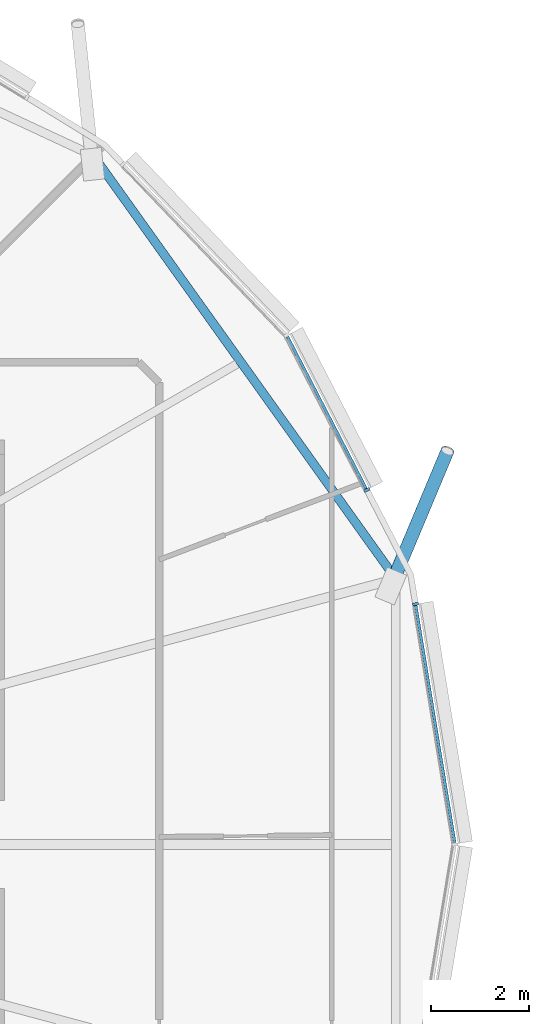
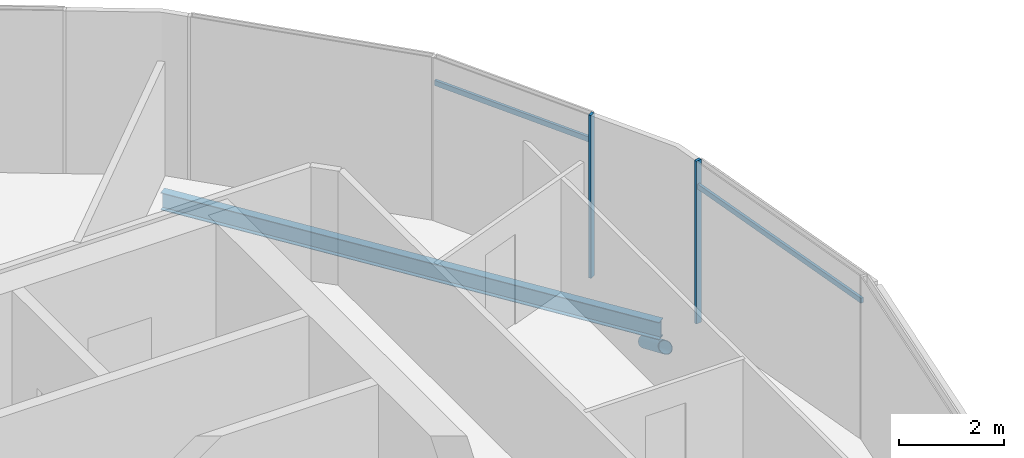
# One storey, part 7 of 36: 5 members, 1 beam, 1 element without a shape of its own.
"""IFC4 building model written with IfcOpenShell, lengths in metres."""

import ifcopenshell
import ifcopenshell.guid

model = None  # the IFC model being written
_history = None  # IfcOwnerHistory: only IFC2X3 demands one
_inside = {}  # id of a spatial element -> (the spatial element, [elements in it])
_under = {}  # id of a project, library or spatial element -> (it, [spatial elements below it])
_declared = {}  # id of a project -> (the project, [libraries it declares])
_typed = {}  # id of a type object -> (the type object, [elements of that type])
_made_of = {}  # id of a material, layer set ... -> (it, [elements and type objects made of it])


def new_model(schema):
    """Start an empty IFC model of exactly this schema.

    Asked for "IFC4X3", IfcOpenShell would pick the latest addendum, in which some entities
    have other attributes; the version numbers below select the first issue.
    IFC2X3 requires an IfcOwnerHistory on every rooted entity: one is made here for all.
    """
    global model, _history
    if schema == "IFC4X3":
        model = ifcopenshell.file(schema_version=(4, 3, 0, 0))
    else:
        model = ifcopenshell.file(schema=schema)
    _inside.clear()
    _under.clear()
    _declared.clear()
    _typed.clear()
    _made_of.clear()
    _history = None
    if model.schema == "IFC2X3":
        org = make("IfcOrganization", Name="unknown")
        user = make(
            "IfcPersonAndOrganization",
            ThePerson=make("IfcPerson", FamilyName="unknown"),
            TheOrganization=org,
        )
        app = make(
            "IfcApplication",
            ApplicationDeveloper=org,
            Version="unknown",
            ApplicationFullName="unknown",
            ApplicationIdentifier="unknown",
        )
        _history = make(
            "IfcOwnerHistory",
            OwningUser=user,
            OwningApplication=app,
            ChangeAction="ADDED",
            CreationDate=0,
        )
    return model


def make(cls, **values):
    """One entity of the class cls with the attributes given. An attribute that is None is left unset."""
    return model.create_entity(
        cls, **{name: value for name, value in values.items() if value is not None}
    )


def rooted(cls, **values):
    """An entity with a GlobalId (a new one), such as an element, a storey or a relation."""
    return make(cls, GlobalId=ifcopenshell.guid.new(), OwnerHistory=_history, **values)


def si_unit(unit_type, name, prefix=None):
    """IfcSIUnit, for example si_unit("LENGTHUNIT", "METRE", prefix="MILLI")."""
    return make("IfcSIUnit", UnitType=unit_type, Prefix=prefix, Name=name)


def assignment(units):
    """IfcUnitAssignment: the units of a project."""
    return None if units is None else make("IfcUnitAssignment", Units=units)


def point(xyz):
    """IfcCartesianPoint."""
    return None if xyz is None else make("IfcCartesianPoint", Coordinates=xyz)


def direction(xyz):
    """IfcDirection."""
    return None if xyz is None else make("IfcDirection", DirectionRatios=xyz)


def frame(location, z_axis=None, x_axis=None):
    """IfcAxis2Placement3D, a coordinate frame: its origin and axes. An axis left out is left unset."""
    return make(
        "IfcAxis2Placement3D",
        Location=point(location),
        Axis=direction(z_axis),
        RefDirection=direction(x_axis),
    )


def frame_2d(location, x_axis=None):
    """IfcAxis2Placement2D, a coordinate frame in the plane: its origin and x axis."""
    return make(
        "IfcAxis2Placement2D", Location=point(location), RefDirection=direction(x_axis)
    )


def origin():
    """The frame at (0, 0, 0) with its axes left unset."""
    return frame((0.0, 0.0, 0.0))


def origin_2d():
    """The frame at (0, 0) in the plane with its x axis left unset."""
    return frame_2d((0.0, 0.0))


def place(relative_to, where):
    """IfcLocalPlacement: puts the frame where relative to a parent placement (None: the world)."""
    return make(
        "IfcLocalPlacement", PlacementRelTo=relative_to, RelativePlacement=where
    )


def context(
    kind, dimensions, precision=None, world=None, true_north=None, identifier=None
):
    """IfcGeometricRepresentationContext, for example the 3D "Model" context."""
    return make(
        "IfcGeometricRepresentationContext",
        ContextIdentifier=identifier,
        ContextType=kind,
        CoordinateSpaceDimension=dimensions,
        Precision=precision,
        WorldCoordinateSystem=world,
        TrueNorth=true_north,
    )


def subcontext(parent, identifier, kind, view, scale=None):
    """IfcGeometricRepresentationSubContext, for example "Body" below "Model"."""
    return make(
        "IfcGeometricRepresentationSubContext",
        ContextIdentifier=identifier,
        ContextType=kind,
        ParentContext=parent,
        TargetScale=scale,
        TargetView=view,
    )


def project(units=None, contexts=None):
    """IfcProject with its units and contexts."""
    return rooted(
        "IfcProject",
        Name="project",
        RepresentationContexts=contexts,
        UnitsInContext=assignment(units),
    )


def spatial(cls, under=None, at=None, **own):
    """A site, building, storey or space (cls), placed at a placement, below another one or the project."""
    s = rooted(cls, ObjectPlacement=at, **own)
    if under is not None:
        _under.setdefault(under.id(), (under, []))[1].append(s)
    return s


def profile(cls, at=None, kind="AREA", **sizes):
    """A parametric profile (cls). Its sizes go by their IFC names, for example OverallWidth=200.0."""
    return make(cls, ProfileType=kind, Position=at, **sizes)


def rectangle(**sizes):
    """IfcRectangleProfileDef."""
    return profile("IfcRectangleProfileDef", **sizes)


def hollow_circle(**sizes):
    """IfcCircleHollowProfileDef."""
    return profile("IfcCircleHollowProfileDef", **sizes)


def i_section(**sizes):
    """IfcIShapeProfileDef."""
    return profile("IfcIShapeProfileDef", **sizes)


def extrude(swept, where, along, depth):
    """IfcExtrudedAreaSolid: the profile swept, set in the frame where, extruded along a direction by depth."""
    return make(
        "IfcExtrudedAreaSolid",
        SweptArea=swept,
        Position=where,
        ExtrudedDirection=direction(along),
        Depth=depth,
    )


def clip(a, b, op="DIFFERENCE"):
    """IfcBooleanClippingResult: the solid a cut by the half space b."""
    return make(
        "IfcBooleanClippingResult", Operator=op, FirstOperand=a, SecondOperand=b
    )


def halfspace(plane, agree):
    """IfcHalfSpaceSolid: all space on one side of the plane z = 0 of the frame plane."""
    return make(
        "IfcHalfSpaceSolid",
        BaseSurface=make("IfcPlane", Position=plane),
        AgreementFlag=agree,
    )


def shape(context_of_items, identifier, shape_type, items):
    """IfcShapeRepresentation: the items that make up one representation, for example the "Body"."""
    return make(
        "IfcShapeRepresentation",
        ContextOfItems=context_of_items,
        RepresentationIdentifier=identifier,
        RepresentationType=shape_type,
        Items=items,
    )


def material(Name=None, Category=None):
    """IfcMaterial."""
    return make("IfcMaterial", Name=Name, Category=Category)


def material_profile(
    of_material, cross_section, Name=None, Category=None, Priority=None
):
    """IfcMaterialProfile: a cross section and its material."""
    return make(
        "IfcMaterialProfile",
        Name=Name,
        Material=of_material,
        Profile=cross_section,
        Priority=Priority,
        Category=Category,
    )


def profile_set(profiles, Name=None, composite=None):
    """IfcMaterialProfileSet."""
    return make(
        "IfcMaterialProfileSet",
        Name=Name,
        MaterialProfiles=profiles,
        CompositeProfile=composite,
    )


def made_of(thing, what):
    """Note that an element or type object is made of a material, layer set ...; save() writes the relation."""
    if what is not None:
        _made_of.setdefault(what.id(), (what, []))[1].append(thing)
    return thing


def type_object(cls, material=None, **own):
    """A type object (cls), such as IfcWallType, which elements share."""
    return made_of(rooted(cls, **own), material)


def element(
    cls,
    number,
    at=None,
    inside=None,
    cuts=None,
    type_object=None,
    material=None,
    context=None,
    identifier="Body",
    shape_type=None,
    held_by="IfcProductDefinitionShape",
    body=None,
    shapes=None,
    **own,
):
    """One element of the class cls, such as IfcWall. Its Tag is "e" and its number.

    at: its placement. inside: the storey or other place that contains it. cuts: it is an
    opening in that element (IfcRelVoidsElement). A single representation is given by context,
    identifier, shape_type and body (its items); several are given by shapes. held_by: the class
    of the entity that holds the representations. save() writes the other relations.
    """
    e = rooted(cls, Tag="e%d" % number, ObjectPlacement=at, **own)
    if body is not None:
        shapes = [shape(context, identifier, shape_type, body)]
    if shapes is not None:
        e.Representation = make(held_by, Representations=shapes)
    if inside is not None:
        _inside.setdefault(inside.id(), (inside, []))[1].append(e)
    if cuts is not None:
        rooted(
            "IfcRelVoidsElement", RelatingBuildingElement=cuts, RelatedOpeningElement=e
        )
    if type_object is not None:
        _typed.setdefault(type_object.id(), (type_object, []))[1].append(e)
    return made_of(e, material)


def aggregate(whole, parts):
    """IfcRelAggregates: a whole, such as a stair, and the parts it consists of."""
    return rooted("IfcRelAggregates", RelatingObject=whole, RelatedObjects=parts)


def save(model, path):
    """Write the relations noted so far, then the file.

    IfcRelAggregates (storeys below a building ...), IfcRelContainedInSpatialStructure (elements
    in a storey), IfcRelDefinesByType, IfcRelAssociatesMaterial and IfcRelDeclares: one each for
    every whole, place, type object, material and project.
    """
    for whole, parts in _under.values():
        aggregate(whole, parts)
    for where, things in _inside.values():
        rooted(
            "IfcRelContainedInSpatialStructure",
            RelatedElements=things,
            RelatingStructure=where,
        )
    for kind, things in _typed.values():
        rooted("IfcRelDefinesByType", RelatedObjects=things, RelatingType=kind)
    for what, things in _made_of.values():
        rooted("IfcRelAssociatesMaterial", RelatedObjects=things, RelatingMaterial=what)
    for by, libraries in _declared.values():
        rooted("IfcRelDeclares", RelatingContext=by, RelatedDefinitions=libraries)
    model.write(path)


model = new_model("IFC4")

# Units and contexts
model_context = context("Model", 3, precision=1e-05, world=origin(), true_north=direction((0.0, 1.0)))
body_context = subcontext(model_context, "Body", "Model", "MODEL_VIEW")
ifc_project = project(units=[si_unit("LENGTHUNIT", "METRE"), si_unit("AREAUNIT", "SQUARE_METRE"), si_unit("VOLUMEUNIT", "CUBIC_METRE"), si_unit("PLANEANGLEUNIT", "RADIAN"), si_unit("MASSUNIT", "GRAM", prefix="KILO")], contexts=[model_context])

# Site, building, storey
site_placement = place(None, origin())
site = spatial("IfcSite", under=ifc_project, at=site_placement, CompositionType="ELEMENT")
building_placement = place(site_placement, origin())
building = spatial("IfcBuilding", under=site, at=building_placement, Name="Rimbun Link Towers", CompositionType="ELEMENT")
storey_placement = place(building_placement, frame((0.0, 0.0, 200.699951171875)))
storey = spatial("IfcBuildingStorey", under=building, at=storey_placement, Name="L49", CompositionType="ELEMENT", Elevation=200.699951171875)

# Curtain wall, members
ifc_material_1 = material(Name="Aluminium 6063-T6 and low-iron glass", Category="aluminium")
curtain_wall_type = type_object("IfcCurtainWallType", Name="CW1-Z3 unitised vision wall (zone 3)", PredefinedType="NOTDEFINED", material=ifc_material_1)
curtain_wall_placement = place(storey_placement, origin())
curtain_wall = element("IfcCurtainWall", 1, at=curtain_wall_placement, inside=storey, type_object=curtain_wall_type, Name="CW1 L49 T1", PredefinedType="NOTDEFINED")
ifc_material_2 = material(Name="Aluminium 6063-T6", Category="aluminium")
ifc_material_profile_1 = material_profile(ifc_material_2, rectangle(XDim=0.1201171875, YDim=0.06005859375, at=origin_2d()), Name="MULLION 60X120")
ifc_profile_set_1 = profile_set([ifc_material_profile_1], Name="Aluminium 6063-T6")
member_type_1 = type_object("IfcMemberType", Name="CW1 mullion 60X120", PredefinedType="MULLION", material=ifc_profile_set_1)
member_1_placement = place(storey_placement, frame((-11.0166015625, 4.931396484375, 0.0), z_axis=(0.0, 0.0, 1.0), x_axis=(0.986749518868, 0.162251000037, 0.0)))
member_1 = element("IfcMember", 2, at=member_1_placement, type_object=member_type_1, Name="CW1 mullion", PredefinedType="MULLION", context=body_context, shape_type="SweptSolid", body=[
    extrude(rectangle(XDim=0.1201171875, YDim=0.06005859375, at=origin_2d()), origin(), (0.0, 0.0, 1.0), 3.800048828125),
])
member_2_placement = place(storey_placement, frame((-12.015869140625, 7.27294921875, 0.0), z_axis=(0.0, 0.0, 1.0), x_axis=(0.888144973035, 0.459563387219, 0.0)))
member_2 = element("IfcMember", 3, at=member_2_placement, type_object=member_type_1, Name="CW1 mullion", PredefinedType="MULLION", context=body_context, shape_type="SweptSolid", body=[
    extrude(rectangle(XDim=0.1201171875, YDim=0.06005859375, at=origin_2d()), origin(), (0.0, 0.0, 1.0), 3.800048828125),
])
ifc_material_3 = material(Name="Aluminium 6063-T6", Category="aluminium")
ifc_material_profile_2 = material_profile(ifc_material_3, rectangle(XDim=0.06005859375, YDim=0.1201171875, at=origin_2d()), Name="TRANSOM 60X120")
ifc_profile_set_2 = profile_set([ifc_material_profile_2], Name="Aluminium 6063-T6")
member_type_2 = type_object("IfcMemberType", Name="CW1 transom 60X120", PredefinedType="USERDEFINED", material=ifc_profile_set_2)
member_3_placement = place(storey_placement, frame((-11.013671875, 4.9013671875, 3.199951171875), z_axis=(0.162261450417, -0.986747800458, 0.0), x_axis=(0.986747800458, 0.162261450417, 0.0)))
member_3 = element("IfcMember", 4, at=member_3_placement, type_object=member_type_2, Name="CW1 transom", ObjectType="TRANSOM", PredefinedType="USERDEFINED", context=body_context, shape_type="SweptSolid", body=[
    extrude(rectangle(XDim=0.06005859375, YDim=0.1201171875, at=origin_2d()), origin(), (0.0, 0.0, 1.0), 4.927490234375),
])
member_4_placement = place(storey_placement, frame((-13.644287109375, 10.41552734375, 3.199951171875), z_axis=(0.45958189222, -0.888135397529, 0.0), x_axis=(0.888135397529, 0.45958189222, 0.0)))
member_4 = element("IfcMember", 5, at=member_4_placement, type_object=member_type_2, Name="CW1 transom", ObjectType="TRANSOM", PredefinedType="USERDEFINED", context=body_context, shape_type="SweptSolid", body=[
    extrude(rectangle(XDim=0.06005859375, YDim=0.1201171875, at=origin_2d()), origin(), (0.0, 0.0, 1.0), 3.50927734375),
])
aggregate(curtain_wall, [member_1, member_2, member_3, member_4])

# Member
ifc_material_4 = material(Name="Steel S355J2H", Category="steel")
ifc_material_profile_3 = material_profile(ifc_material_4, hollow_circle(Radius=0.136474609375, WallThickness=0.012451171875, at=origin_2d()), Name="CHS 273x12.5")
ifc_profile_set_3 = profile_set([ifc_material_profile_3], Name="Steel S355J2H")
member_type_3 = type_object("IfcMemberType", Name="Floor edge link CHS 273x12.5", PredefinedType="BRACE", material=ifc_profile_set_3)
member_5_placement = place(storey_placement, frame((-11.468505859375, 5.434326171875, -0.718017578125), z_axis=(0.324298932785, 0.773289879471, -0.544842146407), x_axis=(-0.922187542688, 0.386742984566, 0.0)))
element("IfcMember", 6, at=member_5_placement, inside=storey, type_object=member_type_3, Name="Floor edge link T1 L49 01", PredefinedType="BRACE", context=body_context, shape_type="Clipping", body=[
    clip(extrude(hollow_circle(Radius=0.136474609375, WallThickness=0.012451171875, at=origin_2d()), frame((0.0, 0.0, -0.4384765625)), (0.0, 0.0, 1.0), 3.866943359375), halfspace(frame((0.0, 0.0, -0.206787109375), z_axis=(0.0, 0.838538630892, -0.544842146407)), False)),
])

# Beam
ifc_material_5 = material(Name="Steel S355J2", Category="steel")
ifc_material_profile_4 = material_profile(ifc_material_5, i_section(OverallWidth=0.177978515625, OverallDepth=0.406494140625, WebThickness=0.0078125, FlangeThickness=0.0126953125, at=origin_2d()), Name="UB 406x178x60")
ifc_profile_set_4 = profile_set([ifc_material_profile_4], Name="Steel S355J2")
beam_type = type_object("IfcBeamType", Name="UB 406x178x60", PredefinedType="BEAM", material=ifc_profile_set_4)
beam_placement = place(storey_placement, frame((-11.479736328125, 5.530517578125, -0.353271484375), z_axis=(-0.581460981446, 0.813574291049, 0.0), x_axis=(-0.813574291049, -0.581460981446, 0.0)))
element("IfcBeam", 7, at=beam_placement, inside=storey, type_object=beam_type, Name="Edge beam T1 L49 01-03", PredefinedType="BEAM", context=body_context, shape_type="SweptSolid", body=[
    extrude(i_section(OverallWidth=0.177978515625, OverallDepth=0.406494140625, WebThickness=0.0078125, FlangeThickness=0.0126953125, at=origin_2d()), origin(), (0.0, 0.0, 1.0), 10.46875),
])

save(model, "model.ifc")
